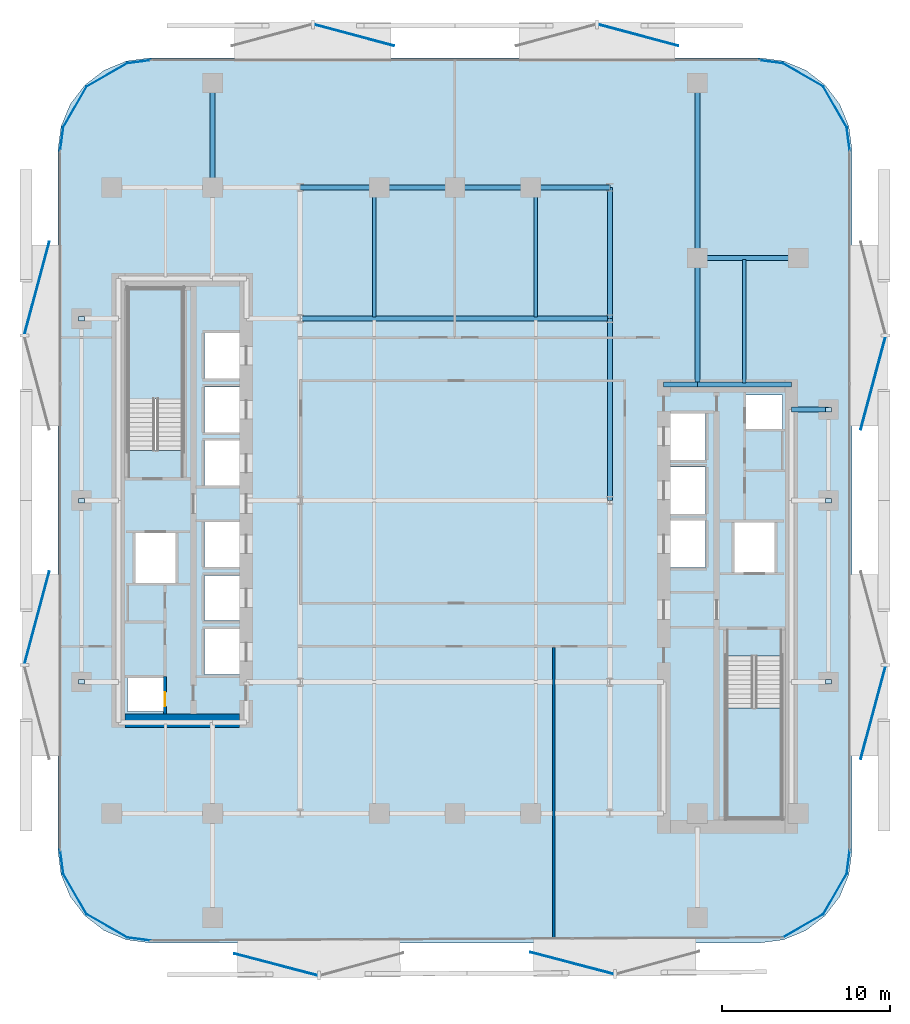
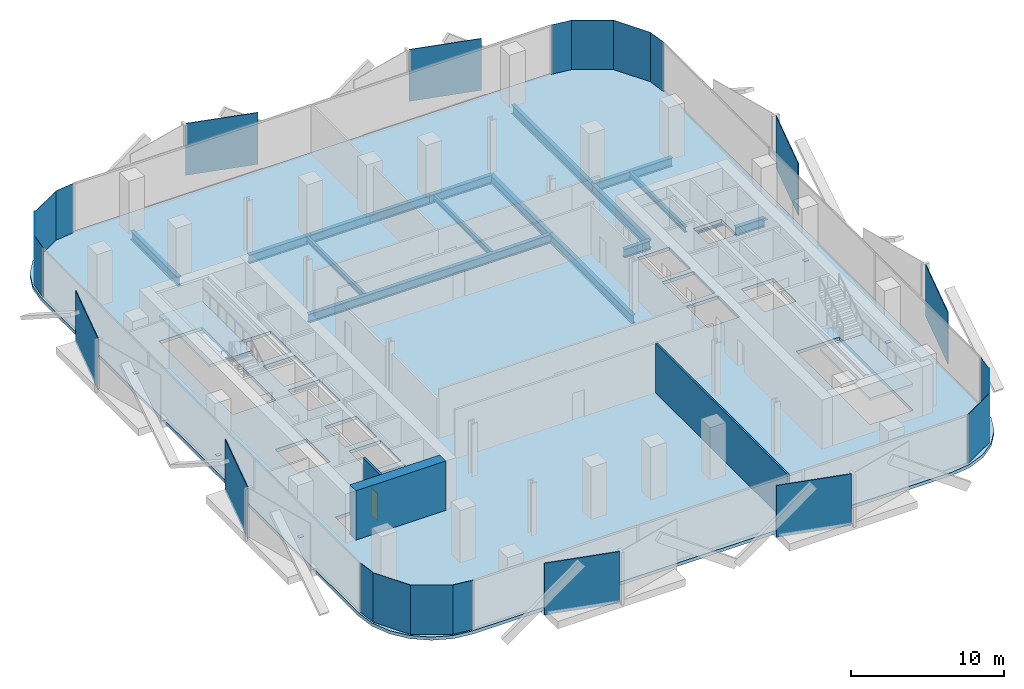
# One storey, part 2 of 14: 29 plates, 17 beams, 3 slabs, 3 walls, 1 door, 1 opening, 2 elements without a shape of their own.
"""IFC4 building model written with IfcOpenShell, lengths in metres."""

import ifcopenshell
import ifcopenshell.guid

model = None  # the IFC model being written
_history = None  # IfcOwnerHistory: only IFC2X3 demands one
_inside = {}  # id of a spatial element -> (the spatial element, [elements in it])
_under = {}  # id of a project, library or spatial element -> (it, [spatial elements below it])
_declared = {}  # id of a project -> (the project, [libraries it declares])
_typed = {}  # id of a type object -> (the type object, [elements of that type])
_made_of = {}  # id of a material, layer set ... -> (it, [elements and type objects made of it])


def new_model(schema):
    """Start an empty IFC model of exactly this schema.

    Asked for "IFC4X3", IfcOpenShell would pick the latest addendum, in which some entities
    have other attributes; the version numbers below select the first issue.
    IFC2X3 requires an IfcOwnerHistory on every rooted entity: one is made here for all.
    """
    global model, _history
    if schema == "IFC4X3":
        model = ifcopenshell.file(schema_version=(4, 3, 0, 0))
    else:
        model = ifcopenshell.file(schema=schema)
    _inside.clear()
    _under.clear()
    _declared.clear()
    _typed.clear()
    _made_of.clear()
    _history = None
    if model.schema == "IFC2X3":
        org = make("IfcOrganization", Name="unknown")
        user = make(
            "IfcPersonAndOrganization",
            ThePerson=make("IfcPerson", FamilyName="unknown"),
            TheOrganization=org,
        )
        app = make(
            "IfcApplication",
            ApplicationDeveloper=org,
            Version="unknown",
            ApplicationFullName="unknown",
            ApplicationIdentifier="unknown",
        )
        _history = make(
            "IfcOwnerHistory",
            OwningUser=user,
            OwningApplication=app,
            ChangeAction="ADDED",
            CreationDate=0,
        )
    return model


def make(cls, **values):
    """One entity of the class cls with the attributes given. An attribute that is None is left unset."""
    return model.create_entity(
        cls, **{name: value for name, value in values.items() if value is not None}
    )


def rooted(cls, **values):
    """An entity with a GlobalId (a new one), such as an element, a storey or a relation."""
    return make(cls, GlobalId=ifcopenshell.guid.new(), OwnerHistory=_history, **values)


def si_unit(unit_type, name, prefix=None):
    """IfcSIUnit, for example si_unit("LENGTHUNIT", "METRE", prefix="MILLI")."""
    return make("IfcSIUnit", UnitType=unit_type, Prefix=prefix, Name=name)


def assignment(units):
    """IfcUnitAssignment: the units of a project."""
    return None if units is None else make("IfcUnitAssignment", Units=units)


def point(xyz):
    """IfcCartesianPoint."""
    return None if xyz is None else make("IfcCartesianPoint", Coordinates=xyz)


def direction(xyz):
    """IfcDirection."""
    return None if xyz is None else make("IfcDirection", DirectionRatios=xyz)


def frame(location, z_axis=None, x_axis=None):
    """IfcAxis2Placement3D, a coordinate frame: its origin and axes. An axis left out is left unset."""
    return make(
        "IfcAxis2Placement3D",
        Location=point(location),
        Axis=direction(z_axis),
        RefDirection=direction(x_axis),
    )


def frame_2d(location, x_axis=None):
    """IfcAxis2Placement2D, a coordinate frame in the plane: its origin and x axis."""
    return make(
        "IfcAxis2Placement2D", Location=point(location), RefDirection=direction(x_axis)
    )


def origin():
    """The frame at (0, 0, 0) with its axes left unset."""
    return frame((0.0, 0.0, 0.0))


def origin_2d():
    """The frame at (0, 0) in the plane with its x axis left unset."""
    return frame_2d((0.0, 0.0))


def place(relative_to, where):
    """IfcLocalPlacement: puts the frame where relative to a parent placement (None: the world)."""
    return make(
        "IfcLocalPlacement", PlacementRelTo=relative_to, RelativePlacement=where
    )


def context(
    kind, dimensions, precision=None, world=None, true_north=None, identifier=None
):
    """IfcGeometricRepresentationContext, for example the 3D "Model" context."""
    return make(
        "IfcGeometricRepresentationContext",
        ContextIdentifier=identifier,
        ContextType=kind,
        CoordinateSpaceDimension=dimensions,
        Precision=precision,
        WorldCoordinateSystem=world,
        TrueNorth=true_north,
    )


def subcontext(parent, identifier, kind, view, scale=None):
    """IfcGeometricRepresentationSubContext, for example "Body" below "Model"."""
    return make(
        "IfcGeometricRepresentationSubContext",
        ContextIdentifier=identifier,
        ContextType=kind,
        ParentContext=parent,
        TargetScale=scale,
        TargetView=view,
    )


def project(units=None, contexts=None):
    """IfcProject with its units and contexts."""
    return rooted(
        "IfcProject",
        Name="project",
        RepresentationContexts=contexts,
        UnitsInContext=assignment(units),
    )


def spatial(cls, under=None, at=None, **own):
    """A site, building, storey or space (cls), placed at a placement, below another one or the project."""
    s = rooted(cls, ObjectPlacement=at, **own)
    if under is not None:
        _under.setdefault(under.id(), (under, []))[1].append(s)
    return s


def polyline(points):
    """IfcPolyline through the points."""
    return make("IfcPolyline", Points=[point(p) for p in points])


def profile(cls, at=None, kind="AREA", **sizes):
    """A parametric profile (cls). Its sizes go by their IFC names, for example OverallWidth=200.0."""
    return make(cls, ProfileType=kind, Position=at, **sizes)


def rectangle(**sizes):
    """IfcRectangleProfileDef."""
    return profile("IfcRectangleProfileDef", **sizes)


def i_section(**sizes):
    """IfcIShapeProfileDef."""
    return profile("IfcIShapeProfileDef", **sizes)


def outline(outer, holes=None, kind="AREA"):
    """IfcArbitraryClosedProfileDef: a profile drawn as a closed curve; with holes, ...WithVoids."""
    if holes is None:
        return make("IfcArbitraryClosedProfileDef", ProfileType=kind, OuterCurve=outer)
    return make(
        "IfcArbitraryProfileDefWithVoids",
        ProfileType=kind,
        OuterCurve=outer,
        InnerCurves=holes,
    )


def extrude(swept, where, along, depth):
    """IfcExtrudedAreaSolid: the profile swept, set in the frame where, extruded along a direction by depth."""
    return make(
        "IfcExtrudedAreaSolid",
        SweptArea=swept,
        Position=where,
        ExtrudedDirection=direction(along),
        Depth=depth,
    )


def shape(context_of_items, identifier, shape_type, items):
    """IfcShapeRepresentation: the items that make up one representation, for example the "Body"."""
    return make(
        "IfcShapeRepresentation",
        ContextOfItems=context_of_items,
        RepresentationIdentifier=identifier,
        RepresentationType=shape_type,
        Items=items,
    )


def material(Name=None, Category=None):
    """IfcMaterial."""
    return make("IfcMaterial", Name=Name, Category=Category)


def layer(
    of_material, thickness, ventilated=None, Name=None, Category=None, Priority=None
):
    """IfcMaterialLayer: one layer of a wall or slab, of a material (None: an air gap)."""
    return make(
        "IfcMaterialLayer",
        Material=of_material,
        LayerThickness=thickness,
        IsVentilated=ventilated,
        Name=Name,
        Category=Category,
        Priority=Priority,
    )


def layer_set(layers, Name=None):
    """IfcMaterialLayerSet."""
    return make("IfcMaterialLayerSet", MaterialLayers=layers, LayerSetName=Name)


def material_profile(
    of_material, cross_section, Name=None, Category=None, Priority=None
):
    """IfcMaterialProfile: a cross section and its material."""
    return make(
        "IfcMaterialProfile",
        Name=Name,
        Material=of_material,
        Profile=cross_section,
        Priority=Priority,
        Category=Category,
    )


def profile_set(profiles, Name=None, composite=None):
    """IfcMaterialProfileSet."""
    return make(
        "IfcMaterialProfileSet",
        Name=Name,
        MaterialProfiles=profiles,
        CompositeProfile=composite,
    )


def made_of(thing, what):
    """Note that an element or type object is made of a material, layer set ...; save() writes the relation."""
    if what is not None:
        _made_of.setdefault(what.id(), (what, []))[1].append(thing)
    return thing


def type_object(cls, material=None, **own):
    """A type object (cls), such as IfcWallType, which elements share."""
    return made_of(rooted(cls, **own), material)


def element(
    cls,
    number,
    at=None,
    inside=None,
    cuts=None,
    type_object=None,
    material=None,
    context=None,
    identifier="Body",
    shape_type=None,
    held_by="IfcProductDefinitionShape",
    body=None,
    shapes=None,
    **own,
):
    """One element of the class cls, such as IfcWall. Its Tag is "e" and its number.

    at: its placement. inside: the storey or other place that contains it. cuts: it is an
    opening in that element (IfcRelVoidsElement). A single representation is given by context,
    identifier, shape_type and body (its items); several are given by shapes. held_by: the class
    of the entity that holds the representations. save() writes the other relations.
    """
    e = rooted(cls, Tag="e%d" % number, ObjectPlacement=at, **own)
    if body is not None:
        shapes = [shape(context, identifier, shape_type, body)]
    if shapes is not None:
        e.Representation = make(held_by, Representations=shapes)
    if inside is not None:
        _inside.setdefault(inside.id(), (inside, []))[1].append(e)
    if cuts is not None:
        rooted(
            "IfcRelVoidsElement", RelatingBuildingElement=cuts, RelatedOpeningElement=e
        )
    if type_object is not None:
        _typed.setdefault(type_object.id(), (type_object, []))[1].append(e)
    return made_of(e, material)


def fill(opening, filler):
    """IfcRelFillsElement: the door or window that sits in an opening."""
    return rooted(
        "IfcRelFillsElement",
        RelatingOpeningElement=opening,
        RelatedBuildingElement=filler,
    )


def aggregate(whole, parts):
    """IfcRelAggregates: a whole, such as a stair, and the parts it consists of."""
    return rooted("IfcRelAggregates", RelatingObject=whole, RelatedObjects=parts)


def save(model, path):
    """Write the relations noted so far, then the file.

    IfcRelAggregates (storeys below a building ...), IfcRelContainedInSpatialStructure (elements
    in a storey), IfcRelDefinesByType, IfcRelAssociatesMaterial and IfcRelDeclares: one each for
    every whole, place, type object, material and project.
    """
    for whole, parts in _under.values():
        aggregate(whole, parts)
    for where, things in _inside.values():
        rooted(
            "IfcRelContainedInSpatialStructure",
            RelatedElements=things,
            RelatingStructure=where,
        )
    for kind, things in _typed.values():
        rooted("IfcRelDefinesByType", RelatedObjects=things, RelatingType=kind)
    for what, things in _made_of.values():
        rooted("IfcRelAssociatesMaterial", RelatedObjects=things, RelatingMaterial=what)
    for by, libraries in _declared.values():
        rooted("IfcRelDeclares", RelatingContext=by, RelatedDefinitions=libraries)
    model.write(path)


model = new_model("IFC4")

# Units and contexts
model_context = context("Model", 3, precision=1e-05, world=origin(), true_north=direction((0.0, 1.0)))
body_context = subcontext(model_context, "Body", "Model", "MODEL_VIEW")
ifc_project = project(units=[si_unit("LENGTHUNIT", "METRE"), si_unit("AREAUNIT", "SQUARE_METRE"), si_unit("VOLUMEUNIT", "CUBIC_METRE"), si_unit("PLANEANGLEUNIT", "RADIAN"), si_unit("MASSUNIT", "GRAM", prefix="KILO")], contexts=[model_context])

# Site, building, storey
site_placement = place(None, origin())
site = spatial("IfcSite", under=ifc_project, at=site_placement, CompositionType="ELEMENT")
building_placement = place(site_placement, origin())
building = spatial("IfcBuilding", under=site, at=building_placement, Name="Khairoan Windgate Tower", CompositionType="ELEMENT")
storey_placement = place(building_placement, frame((0.0, 0.0, 93.199951171875)))
storey = spatial("IfcBuildingStorey", under=building, at=storey_placement, Name="L21", CompositionType="ELEMENT", Elevation=93.199951171875)

# Beams
ifc_material_1 = material(Name="Steel S355", Category="steel")
ifc_material_profile_1 = material_profile(ifc_material_1, i_section(OverallWidth=0.300048828125, OverallDepth=0.699951171875, WebThickness=0.012939453125, FlangeThickness=0.02392578125, FilletRadius=0.02587890625, at=origin_2d()))
ifc_profile_set_1 = profile_set([ifc_material_profile_1], Name="Steel S355")
beam_type_1 = type_object("IfcBeamType", Name="Beam B-G3 H700x300x13x24", PredefinedType="BEAM", material=ifc_profile_set_1)
beam_1_placement = place(storey_placement, frame((20.0, 5.39990234375, -0.60986328125), z_axis=(1.0, 0.0, 0.0), x_axis=(0.0, 1.0, 0.0)))
element("IfcBeam", 1, at=beam_1_placement, inside=storey, type_object=beam_type_1, Name="L21 E-W Primary Girder 19", PredefinedType="BEAM", context=body_context, shape_type="SweptSolid", body=[
    extrude(i_section(OverallWidth=0.300048828125, OverallDepth=0.699951171875, WebThickness=0.012939453125, FlangeThickness=0.02392578125, FilletRadius=0.02587890625, at=origin_2d()), origin(), (0.0, 0.0, 1.0), 2.199951171875),
])
beam_2_placement = place(storey_placement, frame((12.39990234375, 6.89990234375, -0.60986328125), z_axis=(1.0, 0.0, 0.0), x_axis=(0.0, 1.0, 0.0)))
element("IfcBeam", 2, at=beam_2_placement, inside=storey, type_object=beam_type_1, Name="L21 E-W Primary Girder 20", PredefinedType="BEAM", context=body_context, shape_type="SweptSolid", body=[
    extrude(i_section(OverallWidth=0.300048828125, OverallDepth=0.699951171875, WebThickness=0.012939453125, FlangeThickness=0.02392578125, FilletRadius=0.02587890625, at=origin_2d()), origin(), (0.0, 0.0, 1.0), 2.0),
])
beam_3_placement = place(storey_placement, frame((14.39990234375, 6.89990234375, -0.60986328125), z_axis=(1.0, 0.0, 0.0), x_axis=(0.0, 1.0, 0.0)))
element("IfcBeam", 3, at=beam_3_placement, inside=storey, type_object=beam_type_1, Name="L21 E-W Primary Girder 21", PredefinedType="BEAM", context=body_context, shape_type="SweptSolid", body=[
    extrude(i_section(OverallWidth=0.300048828125, OverallDepth=0.699951171875, WebThickness=0.012939453125, FlangeThickness=0.02392578125, FilletRadius=0.02587890625, at=origin_2d()), origin(), (0.0, 0.0, 1.0), 5.60009765625),
])
beam_4_placement = place(storey_placement, frame((-9.199951171875, 10.800048828125, -0.60986328125), z_axis=(1.0, 0.0, 0.0), x_axis=(0.0, 1.0, 0.0)))
element("IfcBeam", 4, at=beam_4_placement, inside=storey, type_object=beam_type_1, Name="L21 E-W Primary Girder 24", PredefinedType="BEAM", context=body_context, shape_type="SweptSolid", body=[
    extrude(i_section(OverallWidth=0.300048828125, OverallDepth=0.699951171875, WebThickness=0.012939453125, FlangeThickness=0.02392578125, FilletRadius=0.02587890625, at=origin_2d()), origin(), (0.0, 0.0, 1.0), 18.39990234375),
])
beam_5_placement = place(storey_placement, frame((14.39990234375, 14.39990234375, -0.60986328125), z_axis=(1.0, 0.0, 0.0), x_axis=(0.0, 1.0, 0.0)))
element("IfcBeam", 5, at=beam_5_placement, inside=storey, type_object=beam_type_1, Name="L21 E-W Primary Girder 27", PredefinedType="BEAM", context=body_context, shape_type="SweptSolid", body=[
    extrude(i_section(OverallWidth=0.300048828125, OverallDepth=0.699951171875, WebThickness=0.012939453125, FlangeThickness=0.02392578125, FilletRadius=0.02587890625, at=origin_2d()), origin(), (0.0, 0.0, 1.0), 6.0),
])
beam_6_placement = place(storey_placement, frame((-9.199951171875, 18.60009765625, -0.60986328125), z_axis=(1.0, 0.0, 0.0), x_axis=(0.0, 1.0, 0.0)))
element("IfcBeam", 6, at=beam_6_placement, inside=storey, type_object=beam_type_1, Name="L21 E-W Primary Girder 30", PredefinedType="BEAM", context=body_context, shape_type="SweptSolid", body=[
    extrude(i_section(OverallWidth=0.300048828125, OverallDepth=0.699951171875, WebThickness=0.012939453125, FlangeThickness=0.02392578125, FilletRadius=0.02587890625, at=origin_2d()), origin(), (0.0, 0.0, 1.0), 4.699951171875),
])
for number, where, z_axis, x_axis, name in (
    (7, (-4.5, 18.60009765625, -0.60986328125), (1.0, 0.0, 0.0), (0.0, 1.0, 0.0), "L21 E-W Primary Girder 31"),
    (8, (0.0, 18.60009765625, -0.60986328125), (1.0, 0.0, 0.0), (0.0, 1.0, 0.0), "L21 E-W Primary Girder 32"),
):
    element("IfcBeam", number, at=place(storey_placement, frame(where, z_axis=z_axis, x_axis=x_axis)), inside=storey, type_object=beam_type_1, Name=name, PredefinedType="BEAM", context=body_context, shape_type="SweptSolid", body=[
        extrude(i_section(OverallWidth=0.300048828125, OverallDepth=0.699951171875, WebThickness=0.012939453125, FlangeThickness=0.02392578125, FilletRadius=0.02587890625, at=origin_2d()), origin(), (0.0, 0.0, 1.0), 4.5),
    ])
beam_7_placement = place(storey_placement, frame((4.5, 18.60009765625, -0.60986328125), z_axis=(1.0, 0.0, 0.0), x_axis=(0.0, 1.0, 0.0)))
element("IfcBeam", 9, at=beam_7_placement, inside=storey, type_object=beam_type_1, Name="L21 E-W Primary Girder 33", PredefinedType="BEAM", context=body_context, shape_type="SweptSolid", body=[
    extrude(i_section(OverallWidth=0.300048828125, OverallDepth=0.699951171875, WebThickness=0.012939453125, FlangeThickness=0.02392578125, FilletRadius=0.02587890625, at=origin_2d()), origin(), (0.0, 0.0, 1.0), 4.699951171875),
])
beam_8_placement = place(storey_placement, frame((-14.39990234375, 18.60009765625, -0.60986328125), z_axis=(0.0, 1.0, 0.0), x_axis=(-1.0, 0.0, 0.0)))
element("IfcBeam", 10, at=beam_8_placement, inside=storey, type_object=beam_type_1, Name="L21 N-S Primary Beam 43", PredefinedType="BEAM", context=body_context, shape_type="SweptSolid", body=[
    extrude(i_section(OverallWidth=0.300048828125, OverallDepth=0.699951171875, WebThickness=0.012939453125, FlangeThickness=0.02392578125, FilletRadius=0.02587890625, at=origin_2d()), origin(), (0.0, 0.0, 1.0), 6.199951171875),
])
beam_9_placement = place(storey_placement, frame((9.199951171875, 0.0, -0.60986328125), z_axis=(0.0, 1.0, 0.0), x_axis=(-1.0, 0.0, 0.0)))
element("IfcBeam", 11, at=beam_9_placement, inside=storey, type_object=beam_type_1, Name="L21 N-S Primary Beam 52", PredefinedType="BEAM", context=body_context, shape_type="SweptSolid", body=[
    extrude(i_section(OverallWidth=0.300048828125, OverallDepth=0.699951171875, WebThickness=0.012939453125, FlangeThickness=0.02392578125, FilletRadius=0.02587890625, at=origin_2d()), origin(), (0.0, 0.0, 1.0), 10.800048828125),
])
beam_10_placement = place(storey_placement, frame((9.199951171875, 10.800048828125, -0.60986328125), z_axis=(0.0, 1.0, 0.0), x_axis=(-1.0, 0.0, 0.0)))
element("IfcBeam", 12, at=beam_10_placement, inside=storey, type_object=beam_type_1, Name="L21 N-S Primary Beam 53", PredefinedType="BEAM", context=body_context, shape_type="SweptSolid", body=[
    extrude(i_section(OverallWidth=0.300048828125, OverallDepth=0.699951171875, WebThickness=0.012939453125, FlangeThickness=0.02392578125, FilletRadius=0.02587890625, at=origin_2d()), origin(), (0.0, 0.0, 1.0), 7.800048828125),
])
beam_11_placement = place(storey_placement, frame((14.39990234375, 6.89990234375, -0.60986328125), z_axis=(0.0, 1.0, 0.0), x_axis=(-1.0, 0.0, 0.0)))
element("IfcBeam", 13, at=beam_11_placement, inside=storey, type_object=beam_type_1, Name="L21 N-S Primary Beam 56", PredefinedType="BEAM", context=body_context, shape_type="SweptSolid", body=[
    extrude(i_section(OverallWidth=0.300048828125, OverallDepth=0.699951171875, WebThickness=0.012939453125, FlangeThickness=0.02392578125, FilletRadius=0.02587890625, at=origin_2d()), origin(), (0.0, 0.0, 1.0), 7.5),
])
beam_12_placement = place(storey_placement, frame((14.39990234375, 14.39990234375, -0.60986328125), z_axis=(0.0, 1.0, 0.0), x_axis=(-1.0, 0.0, 0.0)))
element("IfcBeam", 14, at=beam_12_placement, inside=storey, type_object=beam_type_1, Name="L21 N-S Primary Beam 57", PredefinedType="BEAM", context=body_context, shape_type="SweptSolid", body=[
    extrude(i_section(OverallWidth=0.300048828125, OverallDepth=0.699951171875, WebThickness=0.012939453125, FlangeThickness=0.02392578125, FilletRadius=0.02587890625, at=origin_2d()), origin(), (0.0, 0.0, 1.0), 10.400146484375),
])
ifc_material_2 = material(Name="Steel S355", Category="steel")
ifc_material_profile_2 = material_profile(ifc_material_2, i_section(OverallWidth=0.199951171875, OverallDepth=0.449951171875, WebThickness=0.009033203125, FlangeThickness=0.013916015625, FilletRadius=0.01806640625, at=origin_2d()))
ifc_profile_set_2 = profile_set([ifc_material_profile_2], Name="Steel S355")
beam_type_2 = type_object("IfcBeamType", Name="Beam J-S3 H450x200x9x14", PredefinedType="JOIST", material=ifc_profile_set_2)
for number, where, z_axis, x_axis, name in (
    (15, (-4.800048828125, 10.889892578125, -0.48486328125), (0.0, 1.0, 0.0), (-1.0, 0.0, 0.0), "L21 Secondary Floor Joist 06"),
    (16, (4.800048828125, 10.889892578125, -0.48486328125), (0.0, 1.0, 0.0), (-1.0, 0.0, 0.0), "L21 Secondary Floor Joist 10"),
):
    element("IfcBeam", number, at=place(storey_placement, frame(where, z_axis=z_axis, x_axis=x_axis)), inside=storey, type_object=beam_type_2, Name=name, PredefinedType="JOIST", context=body_context, shape_type="SweptSolid", body=[
        extrude(i_section(OverallWidth=0.199951171875, OverallDepth=0.449951171875, WebThickness=0.009033203125, FlangeThickness=0.013916015625, FilletRadius=0.01806640625, at=origin_2d()), origin(), (0.0, 0.0, 1.0), 7.6201171875),
    ])
beam_13_placement = place(storey_placement, frame((17.199951171875, 6.989990234375, -0.48486328125), z_axis=(0.0, 1.0, 0.0), x_axis=(-1.0, 0.0, 0.0)))
element("IfcBeam", 17, at=beam_13_placement, inside=storey, type_object=beam_type_2, Name="L21 Secondary Floor Joist 11", PredefinedType="JOIST", context=body_context, shape_type="SweptSolid", body=[
    extrude(i_section(OverallWidth=0.199951171875, OverallDepth=0.449951171875, WebThickness=0.009033203125, FlangeThickness=0.013916015625, FilletRadius=0.01806640625, at=origin_2d()), origin(), (0.0, 0.0, 1.0), 7.320068359375),
])

# Plates
ifc_material_3 = material(Name="Low-E Solar Control Laminated Glass", Category="glass")
ifc_layer_1 = layer(ifc_material_3, 0.030029296875, Name="Low-E Solar Control Laminated Glass")
ifc_layer_set_1 = layer_set([ifc_layer_1], Name="Low-E Solar Control Laminated Glass")
plate_type_1 = type_object("IfcPlateType", Name="Aerodynamic Wind-Corner Curved Glazing Plate", PredefinedType="USERDEFINED", material=ifc_layer_set_1)
plate_placement = place(storey_placement, frame((-18.788818359375, -26.068115234375, 0.0), z_axis=(0.0, 0.0, 1.0), x_axis=(-0.991444861374, 0.13052619222, 0.0)))
element("IfcPlate", 18, at=plate_placement, inside=storey, type_object=plate_type_1, Name="L21 Aerodynamic Wind-Corner Curved Glazing Panel 2", ObjectType="GLAZING PANEL", PredefinedType="USERDEFINED", context=body_context, shape_type="SweptSolid", body=[
    extrude(rectangle(XDim=1.4482421875, YDim=0.028076171875, at=origin_2d()), origin(), (0.0, 0.0, 1.0), 3.93994140625),
])
for number, where, z_axis, x_axis, name in (
    (19, (-20.688232421875, -25.28271484375, 0.0), (0.0, 0.0, 1.0), (-0.866025403784, 0.5, 0.0), "L21 Aerodynamic Wind-Corner Curved Glazing Panel 3"),
    (20, (-22.582763671875, -23.38818359375, 0.0), (0.0, 0.0, 1.0), (-0.5, 0.866025403784, 0.0), "L21 Aerodynamic Wind-Corner Curved Glazing Panel 4"),
):
    element("IfcPlate", number, at=place(storey_placement, frame(where, z_axis=z_axis, x_axis=x_axis)), inside=storey, type_object=plate_type_1, Name=name, ObjectType="GLAZING PANEL", PredefinedType="USERDEFINED", context=body_context, shape_type="SweptSolid", body=[
        extrude(rectangle(XDim=2.81396484375, YDim=0.028076171875, at=origin_2d()), origin(), (0.0, 0.0, 1.0), 3.93994140625),
    ])
for number, where, z_axis, x_axis, name in (
    (21, (-23.3681640625, -21.489013671875, 0.0), (0.0, 0.0, 1.0), (-0.13052619222, 0.991444861374, 0.0), "L21 Aerodynamic Wind-Corner Curved Glazing Panel 5"),
    (22, (-23.3681640625, 21.489013671875, 0.0), (0.0, 0.0, 1.0), (0.13052619222, 0.991444861374, 0.0), "L21 Aerodynamic Wind-Corner Curved Glazing Panel 7"),
):
    element("IfcPlate", number, at=place(storey_placement, frame(where, z_axis=z_axis, x_axis=x_axis)), inside=storey, type_object=plate_type_1, Name=name, ObjectType="GLAZING PANEL", PredefinedType="USERDEFINED", context=body_context, shape_type="SweptSolid", body=[
        extrude(rectangle(XDim=1.4482421875, YDim=0.028076171875, at=origin_2d()), origin(), (0.0, 0.0, 1.0), 3.93994140625),
    ])
for number, where, z_axis, x_axis, name in (
    (23, (-22.582763671875, 23.38818359375, 0.0), (0.0, 0.0, 1.0), (0.5, 0.866025403784, 0.0), "L21 Aerodynamic Wind-Corner Curved Glazing Panel 8"),
    (24, (-20.688232421875, 25.28271484375, 0.0), (0.0, 0.0, 1.0), (0.866025403784, 0.5, 0.0), "L21 Aerodynamic Wind-Corner Curved Glazing Panel 9"),
):
    element("IfcPlate", number, at=place(storey_placement, frame(where, z_axis=z_axis, x_axis=x_axis)), inside=storey, type_object=plate_type_1, Name=name, ObjectType="GLAZING PANEL", PredefinedType="USERDEFINED", context=body_context, shape_type="SweptSolid", body=[
        extrude(rectangle(XDim=2.81396484375, YDim=0.028076171875, at=origin_2d()), origin(), (0.0, 0.0, 1.0), 3.93994140625),
    ])
for number, where, z_axis, x_axis, name in (
    (25, (-18.788818359375, 26.068115234375, 0.0), (0.0, 0.0, 1.0), (0.991444861374, 0.13052619222, 0.0), "L21 Aerodynamic Wind-Corner Curved Glazing Panel 10"),
    (26, (18.788818359375, 26.068115234375, 0.0), (0.0, 0.0, 1.0), (0.991444861374, -0.13052619222, 0.0), "L21 Aerodynamic Wind-Corner Curved Glazing Panel 12"),
):
    element("IfcPlate", number, at=place(storey_placement, frame(where, z_axis=z_axis, x_axis=x_axis)), inside=storey, type_object=plate_type_1, Name=name, ObjectType="GLAZING PANEL", PredefinedType="USERDEFINED", context=body_context, shape_type="SweptSolid", body=[
        extrude(rectangle(XDim=1.4482421875, YDim=0.028076171875, at=origin_2d()), origin(), (0.0, 0.0, 1.0), 3.93994140625),
    ])
for number, where, z_axis, x_axis, name in (
    (27, (20.688232421875, 25.28271484375, 0.0), (0.0, 0.0, 1.0), (0.866025403784, -0.5, 0.0), "L21 Aerodynamic Wind-Corner Curved Glazing Panel 13"),
    (28, (22.582763671875, 23.38818359375, 0.0), (0.0, 0.0, 1.0), (0.5, -0.866025403784, 0.0), "L21 Aerodynamic Wind-Corner Curved Glazing Panel 14"),
):
    element("IfcPlate", number, at=place(storey_placement, frame(where, z_axis=z_axis, x_axis=x_axis)), inside=storey, type_object=plate_type_1, Name=name, ObjectType="GLAZING PANEL", PredefinedType="USERDEFINED", context=body_context, shape_type="SweptSolid", body=[
        extrude(rectangle(XDim=2.81396484375, YDim=0.028076171875, at=origin_2d()), origin(), (0.0, 0.0, 1.0), 3.93994140625),
    ])
for number, where, z_axis, x_axis, name in (
    (29, (23.3681640625, 21.489013671875, 0.0), (0.0, 0.0, 1.0), (0.13052619222, -0.991444861374, 0.0), "L21 Aerodynamic Wind-Corner Curved Glazing Panel 15"),
    (30, (23.3681640625, -21.489013671875, 0.0), (0.0, 0.0, 1.0), (-0.13052619222, -0.991444861374, 0.0), "L21 Aerodynamic Wind-Corner Curved Glazing Panel 17"),
):
    element("IfcPlate", number, at=place(storey_placement, frame(where, z_axis=z_axis, x_axis=x_axis)), inside=storey, type_object=plate_type_1, Name=name, ObjectType="GLAZING PANEL", PredefinedType="USERDEFINED", context=body_context, shape_type="SweptSolid", body=[
        extrude(rectangle(XDim=1.4482421875, YDim=0.028076171875, at=origin_2d()), origin(), (0.0, 0.0, 1.0), 3.93994140625),
    ])
for number, where, z_axis, x_axis, name in (
    (31, (22.582763671875, -23.38818359375, 0.0), (0.0, 0.0, 1.0), (-0.5, -0.866025403784, 0.0), "L21 Aerodynamic Wind-Corner Curved Glazing Panel 18"),
    (32, (20.688232421875, -25.28271484375, 0.0), (0.0, 0.0, 1.0), (-0.866025403784, -0.5, 0.0), "L21 Aerodynamic Wind-Corner Curved Glazing Panel 19"),
):
    element("IfcPlate", number, at=place(storey_placement, frame(where, z_axis=z_axis, x_axis=x_axis)), inside=storey, type_object=plate_type_1, Name=name, ObjectType="GLAZING PANEL", PredefinedType="USERDEFINED", context=body_context, shape_type="SweptSolid", body=[
        extrude(rectangle(XDim=2.81396484375, YDim=0.028076171875, at=origin_2d()), origin(), (0.0, 0.0, 1.0), 3.93994140625),
    ])
ifc_material_4 = material(Name="Steel S355", Category="steel")
ifc_layer_2 = layer(ifc_material_4, 0.0400390625, Name="Steel S355")
ifc_layer_set_2 = layer_set([ifc_layer_2], Name="Steel S355")
plate_type_2 = type_object("IfcPlateType", Name="Hollow Section End-Cap Plate PL-CAP40", PredefinedType="SHEET", material=ifc_layer_set_2)
for number, where, z_axis, x_axis, name in (
    (33, (-22.199951171875, -10.784912109375, -0.455078125), (0.0, 0.0, 1.0), (0.0, 1.0, 0.0), "BM-SP-L21-034 steel end-cap plate 1"),
    (34, (-22.199951171875, -0.014892578125, -0.455078125), (0.0, 0.0, 1.0), (0.0, 1.0, 0.0), "BM-SP-L21-034 steel end-cap plate 2"),
    (35, (-22.199951171875, 10.784912109375, -0.455078125), (0.0, 0.0, 1.0), (0.0, 1.0, 0.0), "BM-SP-L21-035 steel end-cap plate 2"),
    (36, (22.199951171875, -10.784912109375, -0.455078125), (0.0, 0.0, 1.0), (0.0, 1.0, 0.0), "BM-SP-L21-061 steel end-cap plate 1"),
    (37, (22.199951171875, -0.014892578125, -0.455078125), (0.0, 0.0, 1.0), (0.0, 1.0, 0.0), "BM-SP-L21-061 steel end-cap plate 2"),
    (38, (22.199951171875, 5.385009765625, -0.455078125), (0.0, 0.0, 1.0), (0.0, 1.0, 0.0), "BM-SP-L21-062 steel end-cap plate 2"),
):
    element("IfcPlate", number, at=place(storey_placement, frame(where, z_axis=z_axis, x_axis=x_axis)), inside=storey, type_object=plate_type_2, Name=name, PredefinedType="SHEET", context=body_context, shape_type="SweptSolid", body=[
        extrude(rectangle(XDim=0.27001953125, YDim=0.3701171875, at=origin_2d()), origin(), (0.0, 0.0, 1.0), 0.0400390625),
    ])
ifc_material_5 = material(Name="Anodised Bronze Aluminium 6063-T6", Category="aluminium")
ifc_layer_3 = layer(ifc_material_5, 0.054931640625, Name="Anodised Bronze Aluminium 6063-T6")
ifc_layer_set_3 = layer_set([ifc_layer_3], Name="Anodised Bronze Aluminium 6063-T6")
plate_type_3 = type_object("IfcPlateType", Name="Perforated Bronze Solar Screen Panel BSP-1", PredefinedType="USERDEFINED", material=ifc_layer_set_3)
for number, where, z_axis, x_axis, name in (
    (39, (6.946044921875, -27.497314453125, -0.10009765625), (0.0, 0.0, 1.0), (-0.967179115616, 0.254095569259, 0.0), "L21 Perforated Bronze Solar Screen Panel 113R"),
    (40, (-10.642822265625, -27.58349609375, -0.10009765625), (0.0, 0.0, 1.0), (-0.967179115616, 0.254095569259, 0.0), "L21 Perforated Bronze Solar Screen Panel 114R"),
):
    element("IfcPlate", number, at=place(storey_placement, frame(where, z_axis=z_axis, x_axis=x_axis)), inside=storey, type_object=plate_type_3, Name=name, ObjectType="SCREEN", PredefinedType="USERDEFINED", context=body_context, shape_type="SweptSolid", body=[
        extrude(rectangle(XDim=5.10107421875, YDim=0.054931640625, at=origin_2d()), origin(), (0.0, 0.0, 1.0), 4.139892578125),
    ])
for number, where, z_axis, x_axis, name in (
    (41, (-24.8447265625, -6.961669921875, -0.10009765625), (0.0, 0.0, 1.0), (0.258819045103, 0.965925826289, 0.0), "L21 Perforated Bronze Solar Screen Panel 115R"),
    (42, (-24.8447265625, 12.629150390625, -0.10009765625), (0.0, 0.0, 1.0), (0.258819045103, 0.965925826289, 0.0), "L21 Perforated Bronze Solar Screen Panel 116R"),
):
    element("IfcPlate", number, at=place(storey_placement, frame(where, z_axis=z_axis, x_axis=x_axis)), inside=storey, type_object=plate_type_3, Name=name, ObjectType="SCREEN", PredefinedType="USERDEFINED", context=body_context, shape_type="SweptSolid", body=[
        extrude(rectangle(XDim=5.680908203125, YDim=0.054931640625, at=origin_2d()), origin(), (0.0, 0.0, 1.0), 4.139892578125),
    ])
for number, where, z_axis, x_axis, name in (
    (43, (-5.98974609375, 27.646240234375, -0.10009765625), (0.0, 0.0, 1.0), (0.965925826289, -0.258819045103, 0.0), "L21 Perforated Bronze Solar Screen Panel 117R"),
    (44, (10.90087890625, 27.646240234375, -0.10009765625), (0.0, 0.0, 1.0), (0.965925826289, -0.258819045103, 0.0), "L21 Perforated Bronze Solar Screen Panel 118R"),
):
    element("IfcPlate", number, at=place(storey_placement, frame(where, z_axis=z_axis, x_axis=x_axis)), inside=storey, type_object=plate_type_3, Name=name, ObjectType="SCREEN", PredefinedType="USERDEFINED", context=body_context, shape_type="SweptSolid", body=[
        extrude(rectangle(XDim=4.89794921875, YDim=0.054931640625, at=origin_2d()), origin(), (0.0, 0.0, 1.0), 4.139892578125),
    ])
for number, where, z_axis, x_axis, name in (
    (45, (24.8447265625, 6.961669921875, -0.10009765625), (0.0, 0.0, 1.0), (-0.258819045103, -0.965925826289, 0.0), "L21 Perforated Bronze Solar Screen Panel 119R"),
    (46, (24.8447265625, -12.629150390625, -0.10009765625), (0.0, 0.0, 1.0), (-0.258819045103, -0.965925826289, 0.0), "L21 Perforated Bronze Solar Screen Panel 120R"),
):
    element("IfcPlate", number, at=place(storey_placement, frame(where, z_axis=z_axis, x_axis=x_axis)), inside=storey, type_object=plate_type_3, Name=name, ObjectType="SCREEN", PredefinedType="USERDEFINED", context=body_context, shape_type="SweptSolid", body=[
        extrude(rectangle(XDim=5.680908203125, YDim=0.054931640625, at=origin_2d()), origin(), (0.0, 0.0, 1.0), 4.139892578125),
    ])

# Stair, slab
ifc_material_6 = material(Name="Concrete C40/50", Category="concrete")
stair_type = type_object("IfcStairType", Name="Tower Core Dog-Leg Stair ST-T1 1560mm", PredefinedType="HALF_TURN_STAIR", material=ifc_material_6)
stair_1_placement = place(storey_placement, origin())
stair_1 = element("IfcStair", 47, at=stair_1_placement, inside=storey, type_object=stair_type, Name="L21 Stair ST1", PredefinedType="HALF_TURN_STAIR")
ifc_material_7 = material(Name="Concrete C40/50", Category="concrete")
ifc_layer_4 = layer(ifc_material_7, 0.199951171875, Name="Concrete C40/50")
ifc_layer_set_4 = layer_set([ifc_layer_4], Name="Concrete C40/50")
slab_type_1 = type_object("IfcSlabType", Name="Reinforced Concrete Stair Landing Slab STL-200", PredefinedType="LANDING", material=ifc_layer_set_4)
slab_1_placement = place(storey_placement, frame((0.0, 0.0, 1.900146484375)))
slab_1 = element("IfcSlab", 48, at=slab_1_placement, type_object=slab_type_1, Name="ST1 landing 1", PredefinedType="LANDING", context=body_context, shape_type="SweptSolid", body=[
    extrude(outline(polyline([(16.14990234375, -12.340087890625), (16.14990234375, -18.89990234375), (19.419921875, -18.89990234375), (19.419921875, -12.340087890625), (16.14990234375, -12.340087890625)])), origin(), (0.0, 0.0, 1.0), 0.199951171875),
])
aggregate(stair_1, [slab_1])

stair_2_placement = place(storey_placement, origin())
stair_2 = element("IfcStair", 49, at=stair_2_placement, inside=storey, type_object=stair_type, Name="L21 Stair ST2", PredefinedType="HALF_TURN_STAIR")
slab_2_placement = place(storey_placement, frame((0.0, 0.0, 1.900146484375)))
slab_2 = element("IfcSlab", 50, at=slab_2_placement, type_object=slab_type_1, Name="ST2 landing 1", PredefinedType="LANDING", context=body_context, shape_type="SweptSolid", body=[
    extrude(outline(polyline([(-16.14990234375, 6.0400390625), (-16.14990234375, 12.60009765625), (-19.419921875, 12.60009765625), (-19.419921875, 6.0400390625), (-16.14990234375, 6.0400390625)])), origin(), (0.0, 0.0, 1.0), 0.199951171875),
])
aggregate(stair_2, [slab_2])

# Slab
ifc_material_8 = material(Name="Concrete C40/50", Category="concrete")
ifc_layer_5 = layer(ifc_material_8, 0.260009765625, Name="Concrete C40/50")
ifc_layer_set_5 = layer_set([ifc_layer_5], Name="Concrete C40/50")
slab_type_2 = type_object("IfcSlabType", Name="Tower Composite Floor Slab FS2 260mm", PredefinedType="FLOOR", material=ifc_layer_set_5)
slab_3_placement = place(storey_placement, frame((0.0, 0.0, -0.260009765625)))
element("IfcSlab", 51, at=slab_3_placement, inside=storey, type_object=slab_type_2, Name="L21 Structural Floor Slab", PredefinedType="FLOOR", context=body_context, shape_type="SweptSolid", body=[
    extrude(outline(polyline([(18.10009765625, -26.300048828125), (19.5234375, -26.112548828125), (20.85009765625, -25.56298828125), (21.989013671875, -24.689208984375), (22.863037109375, -23.550048828125), (23.41259765625, -22.223388671875), (23.60009765625, -20.800048828125), (23.60009765625, 20.800048828125), (23.41259765625, 22.223388671875), (22.863037109375, 23.550048828125), (21.989013671875, 24.689208984375), (20.85009765625, 25.56298828125), (19.5234375, 26.112548828125), (18.10009765625, 26.300048828125), (-18.10009765625, 26.300048828125), (-19.5234375, 26.112548828125), (-20.85009765625, 25.56298828125), (-21.989013671875, 24.689208984375), (-22.863037109375, 23.550048828125), (-23.41259765625, 22.223388671875), (-23.60009765625, 20.800048828125), (-23.60009765625, -20.800048828125), (-23.41259765625, -22.223388671875), (-22.863037109375, -23.550048828125), (-21.989013671875, -24.689208984375), (-20.85009765625, -25.56298828125), (-19.5234375, -26.112548828125), (-18.10009765625, -26.300048828125), (18.10009765625, -26.300048828125)]), holes=[polyline([(16.14990234375, -9.260009765625), (16.14990234375, -18.89990234375), (19.419921875, -18.89990234375), (19.419921875, -9.260009765625), (16.14990234375, -9.260009765625)]), polyline([(-16.14990234375, 2.9599609375), (-16.14990234375, 12.60009765625), (-19.419921875, 12.60009765625), (-19.419921875, 2.9599609375), (-16.14990234375, 2.9599609375)]), polyline([(-14.89990234375, 7.25), (-12.5, 7.25), (-12.5, 9.949951171875), (-14.89990234375, 9.949951171875), (-14.89990234375, 7.25)]), polyline([(-14.89990234375, 4.050048828125), (-12.5, 4.050048828125), (-12.5, 6.75), (-14.89990234375, 6.75), (-14.89990234375, 4.050048828125)]), polyline([(-14.89990234375, 0.85009765625), (-12.5, 0.85009765625), (-12.5, 3.550048828125), (-14.89990234375, 3.550048828125), (-14.89990234375, 0.85009765625)]), polyline([(-14.89990234375, -3.949951171875), (-12.5, -3.949951171875), (-12.5, -1.25), (-14.89990234375, -1.25), (-14.89990234375, -3.949951171875)]), polyline([(-14.89990234375, -7.14990234375), (-12.5, -7.14990234375), (-12.5, -4.449951171875), (-14.89990234375, -4.449951171875), (-14.89990234375, -7.14990234375)]), polyline([(-14.89990234375, -10.35009765625), (-12.5, -10.35009765625), (-12.5, -7.64990234375), (-14.89990234375, -7.64990234375), (-14.89990234375, -10.35009765625)]), polyline([(12.5, 2.39990234375), (14.89990234375, 2.39990234375), (14.89990234375, 5.199951171875), (12.5, 5.199951171875), (12.5, 2.39990234375)]), polyline([(12.5, -0.800048828125), (14.89990234375, -0.800048828125), (14.89990234375, 2.0), (12.5, 2.0), (12.5, -0.800048828125)]), polyline([(12.5, -4.0), (14.89990234375, -4.0), (14.89990234375, -1.199951171875), (12.5, -1.199951171875), (12.5, -4.0)]), polyline([(16.60009765625, -4.300048828125), (19.0, -4.300048828125), (19.0, -1.300048828125), (16.60009765625, -1.300048828125), (16.60009765625, -4.300048828125)]), polyline([(-19.0, -4.89990234375), (-16.60009765625, -4.89990234375), (-16.60009765625, -1.89990234375), (-19.0, -1.89990234375), (-19.0, -4.89990234375)]), polyline([(-19.449951171875, -12.550048828125), (-17.31005859375, -12.550048828125), (-17.31005859375, -10.550048828125), (-19.449951171875, -10.550048828125), (-19.449951171875, -12.550048828125)]), polyline([(17.31005859375, 4.25), (19.449951171875, 4.25), (19.449951171875, 6.25), (17.31005859375, 6.25), (17.31005859375, 4.25)])]), origin(), (0.0, 0.0, 1.0), 0.260009765625),
])

# Wall
ifc_material_9 = material(Name="Acoustic Fire-Rated Gypsum Partition", Category="gypsum")
ifc_layer_6 = layer(ifc_material_9, 0.139892578125, Name="Acoustic Fire-Rated Gypsum Partition")
ifc_layer_set_6 = layer_set([ifc_layer_6], Name="Acoustic Fire-Rated Gypsum Partition")
wall_type_1 = type_object("IfcWallType", Name="Inter-Tenancy Compartment Wall", PredefinedType="PARTITIONING", material=ifc_layer_set_6)
wall_1_placement = place(storey_placement, frame((5.8798828125, -26.037841796875, 0.0), z_axis=(0.0, 0.0, 1.0), x_axis=(0.0, 1.0, 0.0)))
element("IfcWall", 52, at=wall_1_placement, inside=storey, type_object=wall_type_1, Name="L21 Interior Partition 022", PredefinedType="PARTITIONING", context=body_context, shape_type="SweptSolid", body=[
    extrude(rectangle(XDim=17.282958984375, YDim=0.139892578125, at=frame_2d((8.6416015625, 0.0))), origin(), (0.0, 0.0, 1.0), 3.93994140625),
])

# Wall, opening, door
ifc_material_10 = material(Name="Concrete C40/50", Category="concrete")
ifc_layer_7 = layer(ifc_material_10, 0.159912109375, Name="Concrete C40/50")
ifc_layer_set_7 = layer_set([ifc_layer_7], Name="Concrete C40/50")
wall_type_2 = type_object("IfcWallType", Name="Plant and Refuge Compartment Wall", PredefinedType="PARTITIONING", material=ifc_layer_set_7)
wall_2_placement = place(storey_placement, frame((-17.22998046875, -12.699951171875, 0.0), z_axis=(0.0, 0.0, 1.0), x_axis=(0.0, 1.0, 0.0)))
wall_2 = element("IfcWall", 53, at=wall_2_placement, inside=storey, type_object=wall_type_2, Name="L21 Interior Partition 001", PredefinedType="PARTITIONING", context=body_context, shape_type="SweptSolid", body=[
    extrude(rectangle(XDim=2.22998046875, YDim=0.159912109375, at=frame_2d((1.114990234375, 0.0))), origin(), (0.0, 0.0, 1.0), 3.93994140625),
])
opening_placement = place(wall_2_placement, frame((0.4599609375, 0.0, 0.0)))
opening = element("IfcOpeningElement", 54, at=opening_placement, cuts=wall_2, Name="Opening FD-SRV", PredefinedType="OPENING", context=body_context, shape_type="SweptSolid", body=[
    extrude(rectangle(XDim=0.85009765625, YDim=2.10009765625, at=frame_2d((0.425048828125, 1.050048828125))), frame((0.0, 0.08984375, 0.0), z_axis=(0.0, -1.0, 0.0), x_axis=(1.0, 0.0, 0.0)), (0.0, 0.0, 1.0), 0.179931640625),
])
ifc_material_11 = material(Name="Steel S355", Category="steel")
door_type = type_object("IfcDoorType", Name="Core Service and Riser Fire Door FD-SRV 850x2100", OperationType="NOTDEFINED", PredefinedType="DOOR", material=ifc_material_11)
door_placement = place(opening_placement, origin())
door = element("IfcDoor", 55, at=door_placement, inside=storey, type_object=door_type, Name="L21 L21-04-L21-05 Door", OperationType="SINGLE_SWING_RIGHT", OverallHeight=2.10009765625, OverallWidth=0.85009765625, PredefinedType="DOOR", context=body_context, shape_type="SweptSolid", body=[
    extrude(rectangle(XDim=0.85009765625, YDim=2.10009765625, at=frame_2d((0.425048828125, 1.050048828125))), frame((0.0, 0.02490234375, 0.0), z_axis=(0.0, -1.0, 0.0), x_axis=(1.0, 0.0, 0.0)), (0.0, 0.0, 1.0), 0.050048828125),
])
fill(opening, door)

# Wall
ifc_material_12 = material(Name="Concrete C70/85", Category="concrete")
ifc_layer_8 = layer(ifc_material_12, 0.800048828125, Name="Concrete C70/85")
ifc_layer_set_8 = layer_set([ifc_layer_8], Name="Concrete C70/85")
wall_type_3 = type_object("IfcWallType", Name="Shear Wall CW-W1 800mm", PredefinedType="SHEAR", material=ifc_layer_set_8)
wall_3_placement = place(storey_placement, frame((-19.60009765625, -13.10009765625, 0.0), z_axis=(0.0, 0.0, 1.0), x_axis=(1.0, 0.0, 0.0)))
element("IfcWall", 56, at=wall_3_placement, inside=storey, type_object=wall_type_3, Name="W Core South Shear Wall L21", PredefinedType="SHEAR", context=body_context, shape_type="SweptSolid", body=[
    extrude(rectangle(XDim=6.800048828125, YDim=0.800048828125, at=frame_2d((3.39990234375, 0.0))), origin(), (0.0, 0.0, 1.0), 3.93994140625),
])

save(model, "model.ifc")
